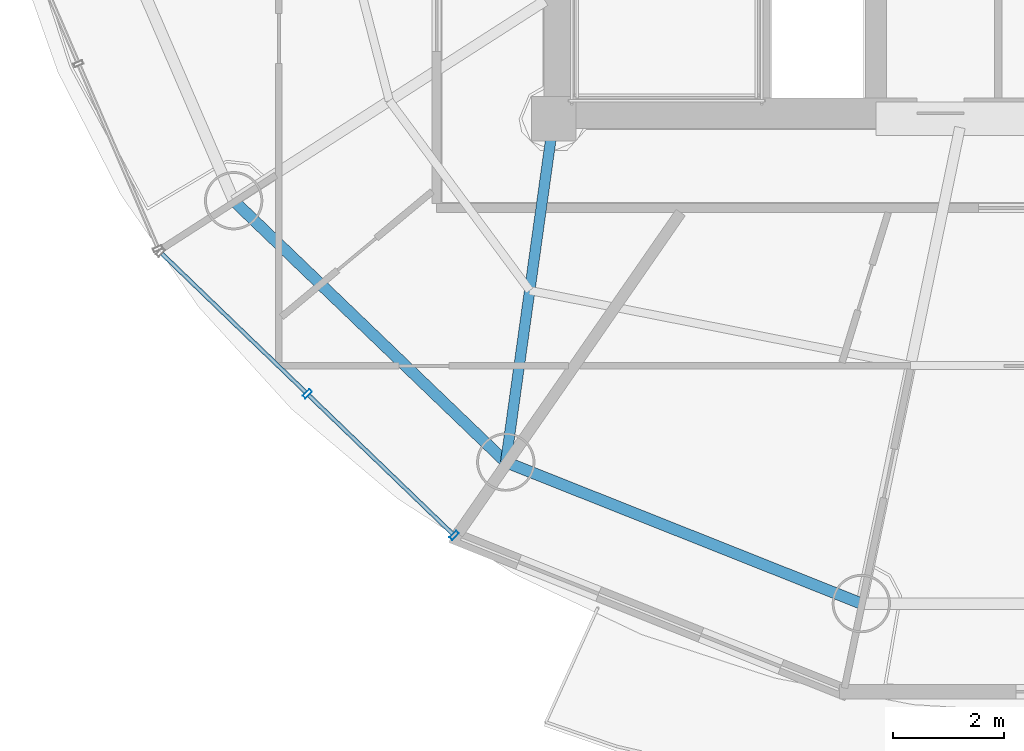
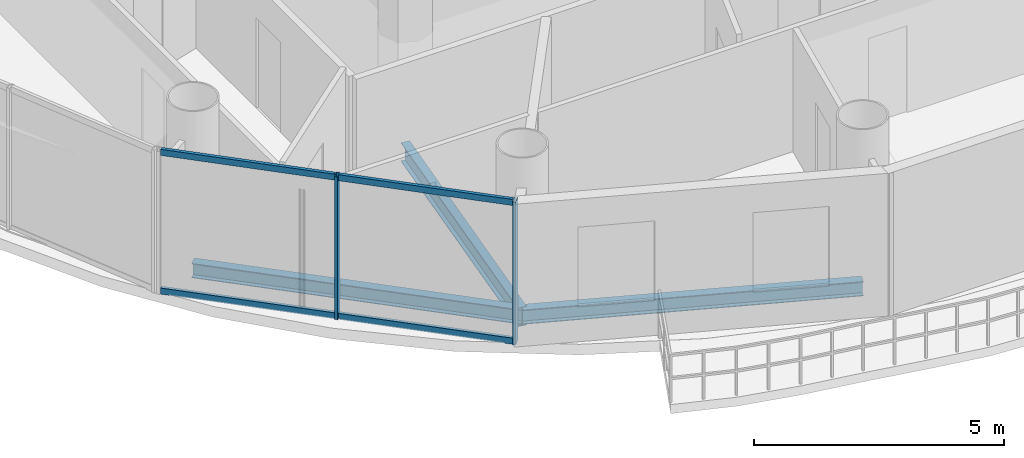
# One storey, part 2 of 24: 6 members, 3 beams, 1 element without a shape of its own.
"""IFC4 building model written with IfcOpenShell, lengths in metres."""

from ifc_helpers import new_model, si_unit, direction, frame, origin, origin_2d, place, context, subcontext, project, spatial, hollow_rectangle, i_section, extrude, source, transform, mapped, material, material_profile, profile_set, type_object, element, aggregate, save


model = new_model("IFC4")

# Units and contexts
model_context = context("Model", 3, precision=1e-05, world=origin(), true_north=direction((-0.2419218956, 0.970295726276)))
body_context = subcontext(model_context, "Body", "Model", "MODEL_VIEW")
ifc_project = project(units=[si_unit("LENGTHUNIT", "METRE"), si_unit("AREAUNIT", "SQUARE_METRE"), si_unit("VOLUMEUNIT", "CUBIC_METRE"), si_unit("PLANEANGLEUNIT", "RADIAN"), si_unit("MASSUNIT", "GRAM", prefix="KILO")], contexts=[model_context])

# Site, building, storey
site_placement = place(None, origin())
site = spatial("IfcSite", under=ifc_project, at=site_placement, CompositionType="ELEMENT")
building_placement = place(site_placement, origin())
building = spatial("IfcBuilding", under=site, at=building_placement, Name="Cobrevalo Terracotta Tower", CompositionType="ELEMENT")
storey_placement = place(building_placement, frame((0.0, 0.0, 274.449951171875)))
storey = spatial("IfcBuildingStorey", under=building, at=storey_placement, Name="L72", CompositionType="ELEMENT", Elevation=274.449951171875)

# Beams
ifc_material_1 = material(Name="Steel S355", Category="steel")
ifc_material_profile_1 = material_profile(ifc_material_1, i_section(OverallWidth=0.19091796875, OverallDepth=0.4599609375, WebThickness=0.010009765625, FlangeThickness=0.01611328125, at=origin_2d()), Name="W 460x82")
ifc_profile_set_1 = profile_set([ifc_material_profile_1], Name="Steel S355")
beam_type_1 = type_object("IfcBeamType", Name="Structural Beam W 460x82 (Steel S355)", PredefinedType="BEAM", material=ifc_profile_set_1)
beam_1_placement = place(storey_placement, frame((28.138671875, 12.62353515625, -0.489990234375), z_axis=(0.138115657759, 0.990416107039, 0.0), x_axis=(-0.990416107039, 0.138115657759, 0.0)))
element("IfcBeam", 1, at=beam_1_placement, inside=storey, type_object=beam_type_1, Name="L72 radial floor girder 11", PredefinedType="BEAM", context=body_context, shape_type="SweptSolid", body=[
    extrude(i_section(OverallWidth=0.19091796875, OverallDepth=0.4599609375, WebThickness=0.010009765625, FlangeThickness=0.01611328125, at=origin_2d()), origin(), (0.0, 0.0, 1.0), 6.236328125),
])
ifc_material_profile_2 = material_profile(ifc_material_1, i_section(OverallWidth=0.205078125, OverallDepth=0.35400390625, WebThickness=0.009521484375, FlangeThickness=0.016845703125, at=origin_2d()), Name="W 360x79")
ifc_profile_set_2 = profile_set([ifc_material_profile_2], Name="Steel S355")
beam_type_2 = type_object("IfcBeamType", Name="Structural Spandrel W 360x79 (Steel S355)", PredefinedType="SPANDREL", material=ifc_profile_set_2)
beam_2_placement = place(storey_placement, frame((23.241455078125, 17.32763671875, -0.43701171875), z_axis=(0.721183246144, -0.692744343522, 0.0), x_axis=(0.692744343522, 0.721183246144, 0.0)))
element("IfcBeam", 2, at=beam_2_placement, inside=storey, type_object=beam_type_2, Name="L72 perimeter ring spandrel 10", PredefinedType="SPANDREL", context=body_context, shape_type="SweptSolid", body=[
    extrude(i_section(OverallWidth=0.205078125, OverallDepth=0.35400390625, WebThickness=0.009521484375, FlangeThickness=0.016845703125, at=origin_2d()), origin(), (0.0, 0.0, 1.0), 6.79052734375),
])
beam_3_placement = place(storey_placement, frame((28.138671875, 12.62353515625, -0.43701171875), z_axis=(0.929149986048, -0.369702993533, 0.0), x_axis=(0.369702993533, 0.929149986048, 0.0)))
element("IfcBeam", 3, at=beam_3_placement, inside=storey, type_object=beam_type_2, Name="L72 perimeter ring spandrel 11", PredefinedType="SPANDREL", context=body_context, shape_type="SweptSolid", body=[
    extrude(i_section(OverallWidth=0.205078125, OverallDepth=0.35400390625, WebThickness=0.009521484375, FlangeThickness=0.016845703125, at=origin_2d()), origin(), (0.0, 0.0, 1.0), 6.88623046875),
])

# Curtain wall, members
ifc_material_2 = material(Name="Anodized aluminium", Category="aluminium")
curtain_wall_type = type_object("IfcCurtainWallType", Name="Upper-tower triple-glazed penthouse curtain wall CW-U3", PredefinedType="NOTDEFINED", material=ifc_material_2)
curtain_wall_placement = place(storey_placement, origin())
curtain_wall = element("IfcCurtainWall", 4, at=curtain_wall_placement, inside=storey, type_object=curtain_wall_type, Name="L72 curtain wall CW-L72-S10", PredefinedType="NOTDEFINED")
ifc_material_profile_3 = material_profile(ifc_material_2, hollow_rectangle(XDim=0.070068359375, YDim=0.169921875, WallThickness=0.00439453125, at=origin_2d()), Name="CWM 70x170")
ifc_profile_set_3 = profile_set([ifc_material_profile_3], Name="Anodized aluminium")
member_type_1 = type_object("IfcMemberType", Name="Upper tower unitised mullion 70x170", PredefinedType="MULLION", material=ifc_profile_set_3)
shared_shape_1 = source(origin(), body_context, "Body", "SweptSolid", [
    extrude(hollow_rectangle(XDim=0.070068359375, YDim=0.169921875, WallThickness=0.00439453125, at=origin_2d()), origin(), (0.0, 0.0, 1.0), 3.489990234375),
])
member_1_placement = place(storey_placement, frame((24.56640625, 13.85205078125, 0.0), z_axis=(0.0, 0.0, 1.0), x_axis=(0.71999418085, -0.69398010025, 0.0)))
member_1 = element("IfcMember", 5, at=member_1_placement, type_object=member_type_1, Name="CW-L72-S10 vertical mullion 02", PredefinedType="MULLION", context=body_context, shape_type="MappedRepresentation", body=[
    mapped(shared_shape_1, transform((0.0, 0.0, 0.0), scale=1.0)),
])
member_2_placement = place(storey_placement, frame((27.209716796875, 11.30419921875, 0.0), z_axis=(0.0, 0.0, 1.0), x_axis=(0.71999418085, -0.69398010025, 0.0)))
member_2 = element("IfcMember", 6, at=member_2_placement, type_object=member_type_1, Name="CW-L72-S10 vertical mullion 03", PredefinedType="MULLION", context=body_context, shape_type="MappedRepresentation", body=[
    mapped(shared_shape_1, transform((0.0, 0.0, 0.0), scale=1.0)),
])
ifc_material_profile_4 = material_profile(ifc_material_2, hollow_rectangle(XDim=0.074951171875, YDim=0.14990234375, WallThickness=0.00439453125, at=origin_2d()), Name="CWT 75x150")
ifc_profile_set_4 = profile_set([ifc_material_profile_4], Name="Anodized aluminium")
member_type_2 = type_object("IfcMemberType", Name="Tower unitised aluminium transom 75x150", PredefinedType="USERDEFINED", material=ifc_profile_set_4)
shared_shape_2 = source(origin(), body_context, "Body", "SweptSolid", [
    extrude(hollow_rectangle(XDim=0.074951171875, YDim=0.14990234375, WallThickness=0.00439453125, at=origin_2d()), origin(), (0.0, 0.0, 1.0), 3.59130859375),
])
member_3_placement = place(storey_placement, frame((21.9521484375, 16.3720703125, 0.050048828125), z_axis=(0.719971660756, -0.694003463758, 0.0), x_axis=(0.694003463758, 0.719971660756, 0.0)))
member_3 = element("IfcMember", 7, at=member_3_placement, type_object=member_type_2, Name="CW-L72-S10 transom B01-T1", ObjectType="TRANSOM", PredefinedType="USERDEFINED", context=body_context, shape_type="MappedRepresentation", body=[
    mapped(shared_shape_2, transform((0.0, 0.0, 0.0), scale=1.0)),
])
member_4_placement = place(storey_placement, frame((21.9521484375, 16.3720703125, 3.43994140625), z_axis=(0.719971660756, -0.694003463758, 0.0), x_axis=(0.694003463758, 0.719971660756, 0.0)))
member_4 = element("IfcMember", 8, at=member_4_placement, type_object=member_type_2, Name="CW-L72-S10 transom B01-T2", ObjectType="TRANSOM", PredefinedType="USERDEFINED", context=body_context, shape_type="MappedRepresentation", body=[
    mapped(shared_shape_2, transform((0.0, 0.0, 0.0), scale=1.0)),
])
member_5_placement = place(storey_placement, frame((24.59521484375, 13.82421875, 0.050048828125), z_axis=(0.720005628362, -0.693968223427, 0.0), x_axis=(0.693968223427, 0.720005628362, 0.0)))
member_5 = element("IfcMember", 9, at=member_5_placement, type_object=member_type_2, Name="CW-L72-S10 transom B02-T1", ObjectType="TRANSOM", PredefinedType="USERDEFINED", context=body_context, shape_type="MappedRepresentation", body=[
    mapped(shared_shape_2, transform((0.0, 0.0, 0.0), scale=1.0)),
])
member_6_placement = place(storey_placement, frame((24.59521484375, 13.82421875, 3.43994140625), z_axis=(0.720005628362, -0.693968223427, 0.0), x_axis=(0.693968223427, 0.720005628362, 0.0)))
member_6 = element("IfcMember", 10, at=member_6_placement, type_object=member_type_2, Name="CW-L72-S10 transom B02-T2", ObjectType="TRANSOM", PredefinedType="USERDEFINED", context=body_context, shape_type="MappedRepresentation", body=[
    mapped(shared_shape_2, transform((0.0, 0.0, 0.0), scale=1.0)),
])
aggregate(curtain_wall, [member_1, member_2, member_3, member_4, member_5, member_6])

save(model, "model.ifc")
